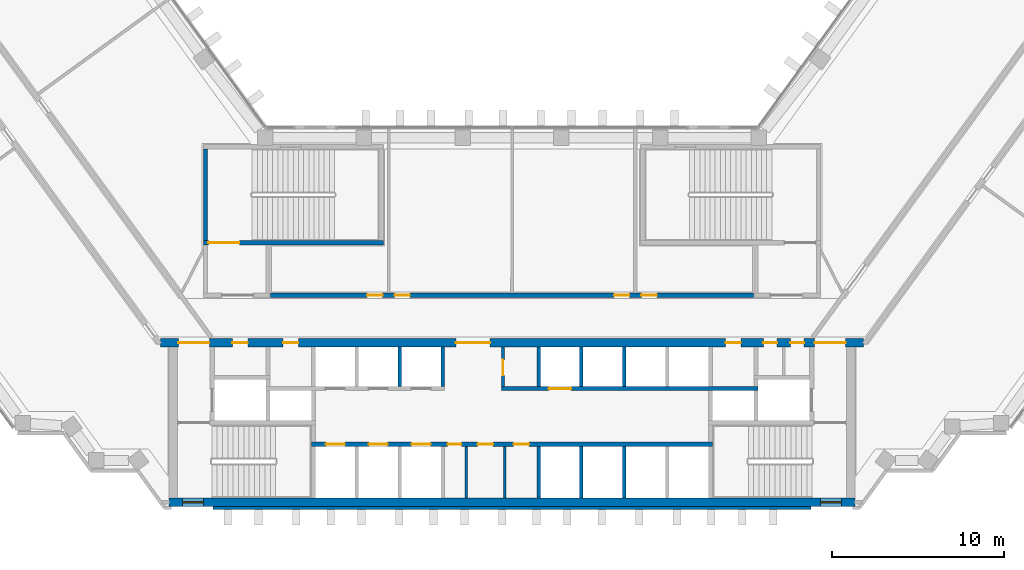
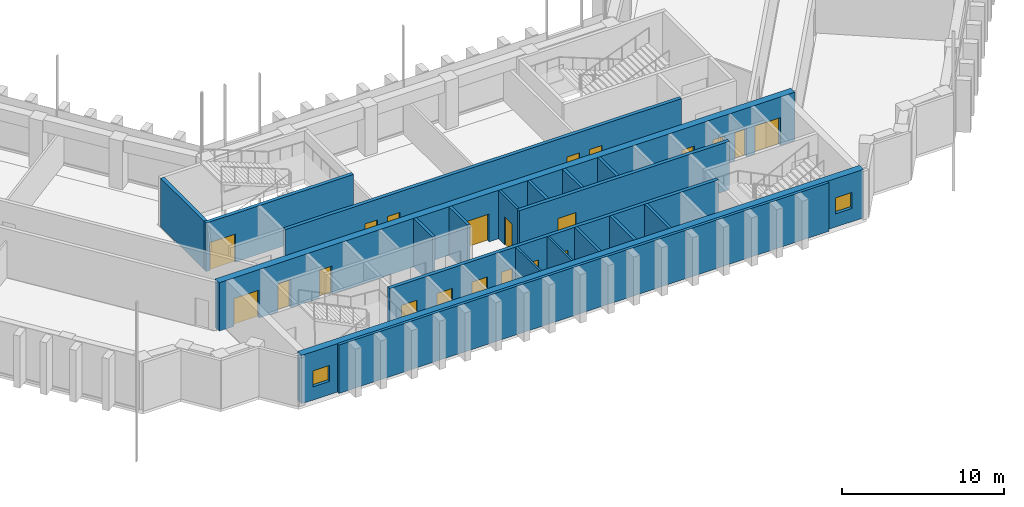
# One storey, part 11 of 18: 21 doors, 19 walls, 2 windows, 23 openings.
"""IFC4 building model written with IfcOpenShell, lengths in metres."""

from ifc_helpers import new_model, si_unit, direction, frame, frame_2d, origin, place, context, subcontext, project, spatial, rectangle, extrude, material, layer, layer_set, type_object, element, fill, save


model = new_model("IFC4")

# Units and contexts
model_context = context("Model", 3, precision=1e-05, world=origin(), true_north=direction((0.0, 1.0)))
body_context = subcontext(model_context, "Body", "Model", "MODEL_VIEW")
ifc_project = project(units=[si_unit("LENGTHUNIT", "METRE"), si_unit("AREAUNIT", "SQUARE_METRE"), si_unit("VOLUMEUNIT", "CUBIC_METRE"), si_unit("PLANEANGLEUNIT", "RADIAN"), si_unit("MASSUNIT", "GRAM", prefix="KILO")], contexts=[model_context])

# Site, building, storey
site_placement = place(None, origin())
site = spatial("IfcSite", under=ifc_project, at=site_placement, CompositionType="ELEMENT")
building_placement = place(site_placement, origin())
building = spatial("IfcBuilding", under=site, at=building_placement, Name="Quipu Civic Tower", CompositionType="ELEMENT")
storey_placement = place(building_placement, frame((0.0, 0.0, 71.0)))
storey = spatial("IfcBuildingStorey", under=building, at=storey_placement, Name="L16", CompositionType="ELEMENT", Elevation=71.0)

# Wall, openings, doors
ifc_material_1 = material(Name="Concrete C70/85", Category="concrete")
ifc_layer_1 = layer(ifc_material_1, 0.25)
ifc_layer_set_1 = layer_set([ifc_layer_1], Name="Concrete C70/85")
wall_type_1 = type_object("IfcWallType", Name="Core wall 250", PredefinedType="SHEAR", material=ifc_layer_set_1)
wall_1_placement = place(storey_placement, frame((11.699951171875, -7.375, 0.0), z_axis=(0.0, 0.0, 1.0), x_axis=(-1.0, 0.0, 0.0)))
wall_1 = element("IfcWall", 1, at=wall_1_placement, inside=storey, type_object=wall_type_1, Name="Core wall", PredefinedType="SHEAR", context=body_context, shape_type="SweptSolid", body=[
    extrude(rectangle(XDim=23.39990234375, YDim=0.25, at=frame_2d((11.699951171875, 0.0))), origin(), (0.0, 0.0, 1.0), 3.64990234375),
])
opening_1_placement = place(wall_1_placement, frame((21.449951171875, 0.0, 0.0)))
opening_1 = element("IfcOpeningElement", 2, at=opening_1_placement, cuts=wall_1, Name="Opening LD-LL1", PredefinedType="OPENING", context=body_context, shape_type="SweptSolid", body=[
    extrude(rectangle(XDim=1.10009765625, YDim=2.10009765625, at=frame_2d((0.550048828125, 1.050048828125))), frame((0.0, 0.135009765625, 0.0), z_axis=(0.0, -1.0, 0.0), x_axis=(1.0, 0.0, 0.0)), (0.0, 0.0, 1.0), 0.27001953125),
])
opening_2_placement = place(wall_1_placement, frame((18.949951171875, 0.0, 0.0)))
opening_2 = element("IfcOpeningElement", 3, at=opening_2_placement, cuts=wall_1, Name="Opening LD-LL2", PredefinedType="OPENING", context=body_context, shape_type="SweptSolid", body=[
    extrude(rectangle(XDim=1.10009765625, YDim=2.10009765625, at=frame_2d((0.550048828125, 1.050048828125))), frame((0.0, 0.135009765625, 0.0), z_axis=(0.0, -1.0, 0.0), x_axis=(1.0, 0.0, 0.0)), (0.0, 0.0, 1.0), 0.27001953125),
])
opening_3_placement = place(wall_1_placement, frame((16.449951171875, 0.0, 0.0)))
opening_3 = element("IfcOpeningElement", 4, at=opening_3_placement, cuts=wall_1, Name="Opening LD-LL3", PredefinedType="OPENING", context=body_context, shape_type="SweptSolid", body=[
    extrude(rectangle(XDim=1.10009765625, YDim=2.10009765625, at=frame_2d((0.550048828125, 1.050048828125))), frame((0.0, 0.135009765625, 0.0), z_axis=(0.0, -1.0, 0.0), x_axis=(1.0, 0.0, 0.0)), (0.0, 0.0, 1.0), 0.27001953125),
])
opening_4_placement = place(wall_1_placement, frame((14.64990234375, 0.0, 0.0)))
opening_4 = element("IfcOpeningElement", 5, at=opening_4_placement, cuts=wall_1, Name="Opening CD-01", PredefinedType="OPENING", context=body_context, shape_type="SweptSolid", body=[
    extrude(rectangle(XDim=0.800048828125, YDim=2.10009765625, at=frame_2d((0.39990234375, 1.050048828125))), frame((0.0, 0.135009765625, 0.0), z_axis=(0.0, -1.0, 0.0), x_axis=(1.0, 0.0, 0.0)), (0.0, 0.0, 1.0), 0.27001953125),
])
opening_5_placement = place(wall_1_placement, frame((12.800048828125, 0.0, 0.0)))
opening_5 = element("IfcOpeningElement", 6, at=opening_5_placement, cuts=wall_1, Name="Opening CD-02", PredefinedType="OPENING", context=body_context, shape_type="SweptSolid", body=[
    extrude(rectangle(XDim=0.89990234375, YDim=2.10009765625, at=frame_2d((0.449951171875, 1.050048828125))), frame((0.0, 0.135009765625, 0.0), z_axis=(0.0, -1.0, 0.0), x_axis=(1.0, 0.0, 0.0)), (0.0, 0.0, 1.0), 0.27001953125),
])
opening_6_placement = place(wall_1_placement, frame((10.699951171875, 0.0, 0.0)))
opening_6 = element("IfcOpeningElement", 7, at=opening_6_placement, cuts=wall_1, Name="Opening CD-03", PredefinedType="OPENING", context=body_context, shape_type="SweptSolid", body=[
    extrude(rectangle(XDim=0.89990234375, YDim=2.10009765625, at=frame_2d((0.449951171875, 1.050048828125))), frame((0.0, 0.135009765625, 0.0), z_axis=(0.0, -1.0, 0.0), x_axis=(1.0, 0.0, 0.0)), (0.0, 0.0, 1.0), 0.27001953125),
])
ifc_material_2 = material(Name="Fire rated steel door", Category="steel")
door_type_1 = type_object("IfcDoorType", Name="Fire door FD60 800 x 2100", OperationType="NOTDEFINED", PredefinedType="DOOR", material=ifc_material_2)
door_1_placement = place(opening_4_placement, origin())
door_1 = element("IfcDoor", 8, at=door_1_placement, inside=storey, type_object=door_type_1, Name="Door", OperationType="SINGLE_SWING_RIGHT", OverallHeight=2.10009765625, OverallWidth=0.800048828125, PredefinedType="DOOR", context=body_context, shape_type="SweptSolid", body=[
    extrude(rectangle(XDim=0.800048828125, YDim=2.10009765625, at=frame_2d((0.39990234375, 1.050048828125))), frame((0.0, 0.02490234375, 0.0), z_axis=(0.0, -1.0, 0.0), x_axis=(1.0, 0.0, 0.0)), (0.0, 0.0, 1.0), 0.050048828125),
])
fill(opening_4, door_1)
ifc_material_3 = material(Name="Fire rated steel door", Category="steel")
door_type_2 = type_object("IfcDoorType", Name="Fire door FD60 900 x 2100", OperationType="NOTDEFINED", PredefinedType="DOOR", material=ifc_material_3)
door_2_placement = place(opening_5_placement, origin())
door_2 = element("IfcDoor", 9, at=door_2_placement, inside=storey, type_object=door_type_2, Name="WC door", OperationType="SINGLE_SWING_RIGHT", OverallHeight=2.10009765625, OverallWidth=0.89990234375, PredefinedType="DOOR", context=body_context, shape_type="SweptSolid", body=[
    extrude(rectangle(XDim=0.89990234375, YDim=2.10009765625, at=frame_2d((0.449951171875, 1.050048828125))), frame((0.0, 0.02490234375, 0.0), z_axis=(0.0, -1.0, 0.0), x_axis=(1.0, 0.0, 0.0)), (0.0, 0.0, 1.0), 0.050048828125),
])
fill(opening_5, door_2)
door_3_placement = place(opening_6_placement, origin())
door_3 = element("IfcDoor", 10, at=door_3_placement, inside=storey, type_object=door_type_2, Name="WC door", OperationType="SINGLE_SWING_LEFT", OverallHeight=2.10009765625, OverallWidth=0.89990234375, PredefinedType="DOOR", context=body_context, shape_type="SweptSolid", body=[
    extrude(rectangle(XDim=0.89990234375, YDim=2.10009765625, at=frame_2d((0.449951171875, 1.050048828125))), frame((0.0, 0.02490234375, 0.0), z_axis=(0.0, -1.0, 0.0), x_axis=(1.0, 0.0, 0.0)), (0.0, 0.0, 1.0), 0.050048828125),
])
fill(opening_6, door_3)
ifc_material_4 = material(Name="Stainless steel", Category="steel")
door_type_3 = type_object("IfcDoorType", Name="Lift landing door 1100 x 2100", OperationType="DOUBLE_DOOR_SLIDING", PredefinedType="DOOR", material=ifc_material_4)
door_4_placement = place(opening_1_placement, origin())
door_4 = element("IfcDoor", 11, at=door_4_placement, inside=storey, type_object=door_type_3, Name="Landing door LL1", OperationType="DOUBLE_DOOR_SLIDING", OverallHeight=2.10009765625, OverallWidth=1.10009765625, PredefinedType="DOOR", context=body_context, shape_type="SweptSolid", body=[
    extrude(rectangle(XDim=1.10009765625, YDim=2.10009765625, at=frame_2d((0.550048828125, 1.050048828125))), frame((0.0, 0.02490234375, 0.0), z_axis=(0.0, -1.0, 0.0), x_axis=(1.0, 0.0, 0.0)), (0.0, 0.0, 1.0), 0.050048828125),
])
fill(opening_1, door_4)
door_5_placement = place(opening_2_placement, origin())
door_5 = element("IfcDoor", 12, at=door_5_placement, inside=storey, type_object=door_type_3, Name="Landing door LL2", OperationType="DOUBLE_DOOR_SLIDING", OverallHeight=2.10009765625, OverallWidth=1.10009765625, PredefinedType="DOOR", context=body_context, shape_type="SweptSolid", body=[
    extrude(rectangle(XDim=1.10009765625, YDim=2.10009765625, at=frame_2d((0.550048828125, 1.050048828125))), frame((0.0, 0.02490234375, 0.0), z_axis=(0.0, -1.0, 0.0), x_axis=(1.0, 0.0, 0.0)), (0.0, 0.0, 1.0), 0.050048828125),
])
fill(opening_2, door_5)
door_6_placement = place(opening_3_placement, origin())
door_6 = element("IfcDoor", 13, at=door_6_placement, inside=storey, type_object=door_type_3, Name="Landing door LL3", OperationType="DOUBLE_DOOR_SLIDING", OverallHeight=2.10009765625, OverallWidth=1.10009765625, PredefinedType="DOOR", context=body_context, shape_type="SweptSolid", body=[
    extrude(rectangle(XDim=1.10009765625, YDim=2.10009765625, at=frame_2d((0.550048828125, 1.050048828125))), frame((0.0, 0.02490234375, 0.0), z_axis=(0.0, -1.0, 0.0), x_axis=(1.0, 0.0, 0.0)), (0.0, 0.0, 1.0), 0.050048828125),
])
fill(opening_3, door_6)

# Wall, opening, door
wall_2_placement = place(storey_placement, frame((-0.60009765625, -4.125, 0.0), z_axis=(0.0, 0.0, 1.0), x_axis=(1.0, 0.0, 0.0)))
wall_2 = element("IfcWall", 14, at=wall_2_placement, inside=storey, type_object=wall_type_1, Name="Core wall", PredefinedType="SHEAR", context=body_context, shape_type="SweptSolid", body=[
    extrude(rectangle(XDim=14.9501953125, YDim=0.25, at=frame_2d((7.47509765625, 0.0))), origin(), (0.0, 0.0, 1.0), 3.64990234375),
])
opening_7_placement = place(wall_2_placement, frame((2.75, 0.0, 0.0)))
opening_7 = element("IfcOpeningElement", 15, at=opening_7_placement, cuts=wall_2, Name="Opening LD-FF3", PredefinedType="OPENING", context=body_context, shape_type="SweptSolid", body=[
    extrude(rectangle(XDim=1.300048828125, YDim=2.10009765625, at=frame_2d((0.64990234375, 1.050048828125))), frame((0.0, 0.135009765625, 0.0), z_axis=(0.0, -1.0, 0.0), x_axis=(1.0, 0.0, 0.0)), (0.0, 0.0, 1.0), 0.27001953125),
])
ifc_material_5 = material(Name="Stainless steel", Category="steel")
door_type_4 = type_object("IfcDoorType", Name="Lift landing door 1300 x 2100", OperationType="DOUBLE_DOOR_SLIDING", PredefinedType="DOOR", material=ifc_material_5)
door_7_placement = place(opening_7_placement, origin())
door_7 = element("IfcDoor", 16, at=door_7_placement, inside=storey, type_object=door_type_4, Name="Landing door FF3", OperationType="DOUBLE_DOOR_SLIDING", OverallHeight=2.10009765625, OverallWidth=1.300048828125, PredefinedType="DOOR", context=body_context, shape_type="SweptSolid", body=[
    extrude(rectangle(XDim=1.300048828125, YDim=2.10009765625, at=frame_2d((0.64990234375, 1.050048828125))), frame((0.0, 0.02490234375, 0.0), z_axis=(0.0, -1.0, 0.0), x_axis=(1.0, 0.0, 0.0)), (0.0, 0.0, 1.0), 0.050048828125),
])
fill(opening_7, door_7)

wall_3_placement = place(storey_placement, frame((-18.0, 4.375, 0.0), z_axis=(0.0, 0.0, 1.0), x_axis=(1.0, 0.0, 0.0)))
wall_3 = element("IfcWall", 17, at=wall_3_placement, inside=storey, type_object=wall_type_1, Name="Core wall", PredefinedType="SHEAR", context=body_context, shape_type="SweptSolid", body=[
    extrude(rectangle(XDim=10.5, YDim=0.25, at=frame_2d((5.25, 0.0))), origin(), (0.0, 0.0, 1.0), 3.64990234375),
])
opening_8_placement = place(wall_3_placement, frame((0.300048828125, 0.0, 0.0)))
opening_8 = element("IfcOpeningElement", 18, at=opening_8_placement, cuts=wall_3, Name="Opening CD-16", PredefinedType="OPENING", context=body_context, shape_type="SweptSolid", body=[
    extrude(rectangle(XDim=1.800048828125, YDim=2.10009765625, at=frame_2d((0.89990234375, 1.050048828125))), frame((0.0, 0.135009765625, 0.0), z_axis=(0.0, -1.0, 0.0), x_axis=(1.0, 0.0, 0.0)), (0.0, 0.0, 1.0), 0.27001953125),
])
ifc_material_6 = material(Name="Fire rated steel door", Category="steel")
door_type_5 = type_object("IfcDoorType", Name="Fire door FD90 double 1800 x 2100", OperationType="NOTDEFINED", PredefinedType="DOOR", material=ifc_material_6)
door_8_placement = place(opening_8_placement, origin())
door_8 = element("IfcDoor", 19, at=door_8_placement, inside=storey, type_object=door_type_5, Name="Door", OperationType="DOUBLE_DOOR_SINGLE_SWING", OverallHeight=2.10009765625, OverallWidth=1.800048828125, PredefinedType="DOOR", context=body_context, shape_type="SweptSolid", body=[
    extrude(rectangle(XDim=1.800048828125, YDim=2.10009765625, at=frame_2d((0.89990234375, 1.050048828125))), frame((0.0, 0.02490234375, 0.0), z_axis=(0.0, -1.0, 0.0), x_axis=(1.0, 0.0, 0.0)), (0.0, 0.0, 1.0), 0.050048828125),
])
fill(opening_8, door_8)

# Wall
wall_4_placement = place(storey_placement, frame((-17.875, 4.5, 0.0), z_axis=(0.0, 0.0, 1.0), x_axis=(0.0, 1.0, 0.0)))
element("IfcWall", 20, at=wall_4_placement, inside=storey, type_object=wall_type_1, Name="Core wall", PredefinedType="SHEAR", context=body_context, shape_type="SweptSolid", body=[
    extrude(rectangle(XDim=5.35009765625, YDim=0.25, at=frame_2d((2.675048828125, 0.0))), origin(), (0.0, 0.0, 1.0), 3.64990234375),
])

# Wall, openings, windows
ifc_material_7 = material(Name="Concrete C70/85", Category="concrete")
ifc_layer_2 = layer(ifc_material_7, 0.5)
ifc_layer_set_2 = layer_set([ifc_layer_2], Name="Concrete C70/85")
wall_type_2 = type_object("IfcWallType", Name="Core wall 500", PredefinedType="SHEAR", material=ifc_layer_set_2)
wall_5_placement = place(storey_placement, frame((-20.0, -10.75, 0.0), z_axis=(0.0, 0.0, 1.0), x_axis=(1.0, 0.0, 0.0)))
wall_5 = element("IfcWall", 21, at=wall_5_placement, inside=storey, type_object=wall_type_2, Name="Core wall", PredefinedType="SHEAR", context=body_context, shape_type="SweptSolid", body=[
    extrude(rectangle(XDim=40.0, YDim=0.5, at=frame_2d((20.0, 0.0))), origin(), (0.0, 0.0, 1.0), 3.64990234375),
])
opening_9_placement = place(wall_5_placement, frame((0.800048828125, 0.0, 1.0)))
opening_9 = element("IfcOpeningElement", 22, at=opening_9_placement, cuts=wall_5, Name="Opening SV-1", PredefinedType="OPENING", context=body_context, shape_type="SweptSolid", body=[
    extrude(rectangle(XDim=1.199951171875, YDim=1.199951171875, at=frame_2d((0.60009765625, 0.60009765625))), frame((0.0, 0.260009765625, 0.0), z_axis=(0.0, -1.0, 0.0), x_axis=(1.0, 0.0, 0.0)), (0.0, 0.0, 1.0), 0.52001953125),
])
opening_10_placement = place(wall_5_placement, frame((38.0, 0.0, 1.0)))
opening_10 = element("IfcOpeningElement", 23, at=opening_10_placement, cuts=wall_5, Name="Opening SV-2", PredefinedType="OPENING", context=body_context, shape_type="SweptSolid", body=[
    extrude(rectangle(XDim=1.199951171875, YDim=1.199951171875, at=frame_2d((0.60009765625, 0.60009765625))), frame((0.0, 0.260009765625, 0.0), z_axis=(0.0, -1.0, 0.0), x_axis=(1.0, 0.0, 0.0)), (0.0, 0.0, 1.0), 0.52001953125),
])
ifc_material_8 = material(Name="Aluminium louvre", Category="aluminium")
window_type = type_object("IfcWindowType", Name="Stair ventilation louvre 1200 x 1200", PartitioningType="SINGLE_PANEL", PredefinedType="WINDOW", material=ifc_material_8)
window_1_placement = place(opening_9_placement, origin())
window_1 = element("IfcWindow", 24, at=window_1_placement, inside=storey, type_object=window_type, Name="Stair ventilation opening", OverallHeight=1.199951171875, OverallWidth=1.199951171875, PartitioningType="SINGLE_PANEL", PredefinedType="WINDOW", context=body_context, shape_type="SweptSolid", body=[
    extrude(rectangle(XDim=1.199951171875, YDim=1.199951171875, at=frame_2d((0.60009765625, 0.60009765625))), frame((0.0, 0.030029296875, 0.0), z_axis=(0.0, -1.0, 0.0), x_axis=(1.0, 0.0, 0.0)), (0.0, 0.0, 1.0), 0.06005859375),
])
fill(opening_9, window_1)
window_2_placement = place(opening_10_placement, origin())
window_2 = element("IfcWindow", 25, at=window_2_placement, inside=storey, type_object=window_type, Name="Stair ventilation opening", OverallHeight=1.199951171875, OverallWidth=1.199951171875, PartitioningType="SINGLE_PANEL", PredefinedType="WINDOW", context=body_context, shape_type="SweptSolid", body=[
    extrude(rectangle(XDim=1.199951171875, YDim=1.199951171875, at=frame_2d((0.60009765625, 0.60009765625))), frame((0.0, 0.030029296875, 0.0), z_axis=(0.0, -1.0, 0.0), x_axis=(1.0, 0.0, 0.0)), (0.0, 0.0, 1.0), 0.06005859375),
])
fill(opening_10, window_2)

# Wall, openings, doors
wall_6_placement = place(storey_placement, frame((20.489990234375, -1.449951171875, 0.0), z_axis=(0.0, 0.0, 1.0), x_axis=(-1.0, 0.0, 0.0)))
wall_6 = element("IfcWall", 26, at=wall_6_placement, inside=storey, type_object=wall_type_2, Name="Core wall", PredefinedType="SHEAR", context=body_context, shape_type="SweptSolid", body=[
    extrude(rectangle(XDim=40.97998046875, YDim=0.5, at=frame_2d((20.489990234375, 0.0))), origin(), (0.0, 0.0, 1.0), 3.64990234375),
])
opening_11_placement = place(wall_6_placement, frame((38.139892578125, 0.0, 0.0)))
opening_11 = element("IfcOpeningElement", 27, at=opening_11_placement, cuts=wall_6, Name="Opening CD-07", PredefinedType="OPENING", context=body_context, shape_type="SweptSolid", body=[
    extrude(rectangle(XDim=1.800048828125, YDim=2.10009765625, at=frame_2d((0.89990234375, 1.050048828125))), frame((0.0, 0.260009765625, 0.0), z_axis=(0.0, -1.0, 0.0), x_axis=(1.0, 0.0, 0.0)), (0.0, 0.0, 1.0), 0.52001953125),
])
opening_12_placement = place(wall_6_placement, frame((35.889892578125, 0.0, 0.0)))
opening_12 = element("IfcOpeningElement", 28, at=opening_12_placement, cuts=wall_6, Name="Opening CD-08", PredefinedType="OPENING", context=body_context, shape_type="SweptSolid", body=[
    extrude(rectangle(XDim=0.89990234375, YDim=2.10009765625, at=frame_2d((0.449951171875, 1.050048828125))), frame((0.0, 0.260009765625, 0.0), z_axis=(0.0, -1.0, 0.0), x_axis=(1.0, 0.0, 0.0)), (0.0, 0.0, 1.0), 0.52001953125),
])
opening_13_placement = place(wall_6_placement, frame((32.93994140625, 0.0, 0.0)))
opening_13 = element("IfcOpeningElement", 29, at=opening_13_placement, cuts=wall_6, Name="Opening CD-09", PredefinedType="OPENING", context=body_context, shape_type="SweptSolid", body=[
    extrude(rectangle(XDim=0.89990234375, YDim=2.10009765625, at=frame_2d((0.449951171875, 1.050048828125))), frame((0.0, 0.260009765625, 0.0), z_axis=(0.0, -1.0, 0.0), x_axis=(1.0, 0.0, 0.0)), (0.0, 0.0, 1.0), 0.52001953125),
])
opening_14_placement = place(wall_6_placement, frame((21.764892578125, 0.0, 0.0)))
opening_14 = element("IfcOpeningElement", 30, at=opening_14_placement, cuts=wall_6, Name="Opening CD-10", PredefinedType="OPENING", context=body_context, shape_type="SweptSolid", body=[
    extrude(rectangle(XDim=2.0, YDim=2.10009765625, at=frame_2d((1.0, 1.050048828125))), frame((0.0, 0.260009765625, 0.0), z_axis=(0.0, -1.0, 0.0), x_axis=(1.0, 0.0, 0.0)), (0.0, 0.0, 1.0), 0.52001953125),
])
opening_15_placement = place(wall_6_placement, frame((7.139892578125, 0.0, 0.0)))
opening_15 = element("IfcOpeningElement", 31, at=opening_15_placement, cuts=wall_6, Name="Opening CD-11", PredefinedType="OPENING", context=body_context, shape_type="SweptSolid", body=[
    extrude(rectangle(XDim=0.89990234375, YDim=2.10009765625, at=frame_2d((0.449951171875, 1.050048828125))), frame((0.0, 0.260009765625, 0.0), z_axis=(0.0, -1.0, 0.0), x_axis=(1.0, 0.0, 0.0)), (0.0, 0.0, 1.0), 0.52001953125),
])
opening_16_placement = place(wall_6_placement, frame((5.027587890625, 0.0, 0.0)))
opening_16 = element("IfcOpeningElement", 32, at=opening_16_placement, cuts=wall_6, Name="Opening CD-12", PredefinedType="OPENING", context=body_context, shape_type="SweptSolid", body=[
    extrude(rectangle(XDim=0.800048828125, YDim=2.10009765625, at=frame_2d((0.39990234375, 1.050048828125))), frame((0.0, 0.260009765625, 0.0), z_axis=(0.0, -1.0, 0.0), x_axis=(1.0, 0.0, 0.0)), (0.0, 0.0, 1.0), 0.52001953125),
])
opening_17_placement = place(wall_6_placement, frame((3.452392578125, 0.0, 0.0)))
opening_17 = element("IfcOpeningElement", 33, at=opening_17_placement, cuts=wall_6, Name="Opening CD-13", PredefinedType="OPENING", context=body_context, shape_type="SweptSolid", body=[
    extrude(rectangle(XDim=0.800048828125, YDim=2.10009765625, at=frame_2d((0.39990234375, 1.050048828125))), frame((0.0, 0.260009765625, 0.0), z_axis=(0.0, -1.0, 0.0), x_axis=(1.0, 0.0, 0.0)), (0.0, 0.0, 1.0), 0.52001953125),
])
opening_18_placement = place(wall_6_placement, frame((1.0400390625, 0.0, 0.0)))
opening_18 = element("IfcOpeningElement", 34, at=opening_18_placement, cuts=wall_6, Name="Opening CD-14", PredefinedType="OPENING", context=body_context, shape_type="SweptSolid", body=[
    extrude(rectangle(XDim=1.800048828125, YDim=2.10009765625, at=frame_2d((0.89990234375, 1.050048828125))), frame((0.0, 0.260009765625, 0.0), z_axis=(0.0, -1.0, 0.0), x_axis=(1.0, 0.0, 0.0)), (0.0, 0.0, 1.0), 0.52001953125),
])
door_9_placement = place(opening_16_placement, origin())
door_9 = element("IfcDoor", 35, at=door_9_placement, inside=storey, type_object=door_type_1, Name="Door", OperationType="SINGLE_SWING_LEFT", OverallHeight=2.10009765625, OverallWidth=0.800048828125, PredefinedType="DOOR", context=body_context, shape_type="SweptSolid", body=[
    extrude(rectangle(XDim=0.800048828125, YDim=2.10009765625, at=frame_2d((0.39990234375, 1.050048828125))), frame((0.0, 0.02490234375, 0.0), z_axis=(0.0, -1.0, 0.0), x_axis=(1.0, 0.0, 0.0)), (0.0, 0.0, 1.0), 0.050048828125),
])
fill(opening_16, door_9)
door_10_placement = place(opening_17_placement, origin())
door_10 = element("IfcDoor", 36, at=door_10_placement, inside=storey, type_object=door_type_1, Name="Door", OperationType="SINGLE_SWING_LEFT", OverallHeight=2.10009765625, OverallWidth=0.800048828125, PredefinedType="DOOR", context=body_context, shape_type="SweptSolid", body=[
    extrude(rectangle(XDim=0.800048828125, YDim=2.10009765625, at=frame_2d((0.39990234375, 1.050048828125))), frame((0.0, 0.02490234375, 0.0), z_axis=(0.0, -1.0, 0.0), x_axis=(1.0, 0.0, 0.0)), (0.0, 0.0, 1.0), 0.050048828125),
])
fill(opening_17, door_10)
door_11_placement = place(opening_12_placement, origin())
door_11 = element("IfcDoor", 37, at=door_11_placement, inside=storey, type_object=door_type_2, Name="Door", OperationType="SINGLE_SWING_RIGHT", OverallHeight=2.10009765625, OverallWidth=0.89990234375, PredefinedType="DOOR", context=body_context, shape_type="SweptSolid", body=[
    extrude(rectangle(XDim=0.89990234375, YDim=2.10009765625, at=frame_2d((0.449951171875, 1.050048828125))), frame((0.0, 0.02490234375, 0.0), z_axis=(0.0, -1.0, 0.0), x_axis=(1.0, 0.0, 0.0)), (0.0, 0.0, 1.0), 0.050048828125),
])
fill(opening_12, door_11)
door_12_placement = place(opening_13_placement, origin())
door_12 = element("IfcDoor", 38, at=door_12_placement, inside=storey, type_object=door_type_2, Name="Riser door", OperationType="SINGLE_SWING_RIGHT", OverallHeight=2.10009765625, OverallWidth=0.89990234375, PredefinedType="DOOR", context=body_context, shape_type="SweptSolid", body=[
    extrude(rectangle(XDim=0.89990234375, YDim=2.10009765625, at=frame_2d((0.449951171875, 1.050048828125))), frame((0.0, 0.02490234375, 0.0), z_axis=(0.0, -1.0, 0.0), x_axis=(1.0, 0.0, 0.0)), (0.0, 0.0, 1.0), 0.050048828125),
])
fill(opening_13, door_12)
door_13_placement = place(opening_15_placement, origin())
door_13 = element("IfcDoor", 39, at=door_13_placement, inside=storey, type_object=door_type_2, Name="Riser door", OperationType="SINGLE_SWING_LEFT", OverallHeight=2.10009765625, OverallWidth=0.89990234375, PredefinedType="DOOR", context=body_context, shape_type="SweptSolid", body=[
    extrude(rectangle(XDim=0.89990234375, YDim=2.10009765625, at=frame_2d((0.449951171875, 1.050048828125))), frame((0.0, 0.02490234375, 0.0), z_axis=(0.0, -1.0, 0.0), x_axis=(1.0, 0.0, 0.0)), (0.0, 0.0, 1.0), 0.050048828125),
])
fill(opening_15, door_13)
door_14_placement = place(opening_11_placement, origin())
door_14 = element("IfcDoor", 40, at=door_14_placement, inside=storey, type_object=door_type_5, Name="Lobby door", OperationType="DOUBLE_DOOR_SINGLE_SWING", OverallHeight=2.10009765625, OverallWidth=1.800048828125, PredefinedType="DOOR", context=body_context, shape_type="SweptSolid", body=[
    extrude(rectangle(XDim=1.800048828125, YDim=2.10009765625, at=frame_2d((0.89990234375, 1.050048828125))), frame((0.0, 0.02490234375, 0.0), z_axis=(0.0, -1.0, 0.0), x_axis=(1.0, 0.0, 0.0)), (0.0, 0.0, 1.0), 0.050048828125),
])
fill(opening_11, door_14)
door_15_placement = place(opening_18_placement, origin())
door_15 = element("IfcDoor", 41, at=door_15_placement, inside=storey, type_object=door_type_5, Name="Lobby door", OperationType="DOUBLE_DOOR_SINGLE_SWING", OverallHeight=2.10009765625, OverallWidth=1.800048828125, PredefinedType="DOOR", context=body_context, shape_type="SweptSolid", body=[
    extrude(rectangle(XDim=1.800048828125, YDim=2.10009765625, at=frame_2d((0.89990234375, 1.050048828125))), frame((0.0, 0.02490234375, 0.0), z_axis=(0.0, -1.0, 0.0), x_axis=(1.0, 0.0, 0.0)), (0.0, 0.0, 1.0), 0.050048828125),
])
fill(opening_18, door_15)
ifc_material_9 = material(Name="Fire rated steel door", Category="steel")
door_type_6 = type_object("IfcDoorType", Name="Fire door FD90 double 2000 x 2100", OperationType="NOTDEFINED", PredefinedType="DOOR", material=ifc_material_9)
door_16_placement = place(opening_14_placement, origin())
door_16 = element("IfcDoor", 42, at=door_16_placement, inside=storey, type_object=door_type_6, Name="Lobby door", OperationType="DOUBLE_DOOR_SINGLE_SWING", OverallHeight=2.10009765625, OverallWidth=2.0, PredefinedType="DOOR", context=body_context, shape_type="SweptSolid", body=[
    extrude(rectangle(XDim=2.0, YDim=2.10009765625, at=frame_2d((1.0, 1.050048828125))), frame((0.0, 0.02490234375, 0.0), z_axis=(0.0, -1.0, 0.0), x_axis=(1.0, 0.0, 0.0)), (0.0, 0.0, 1.0), 0.050048828125),
])
fill(opening_14, door_16)

ifc_material_10 = material(Name="Concrete C50/60", Category="concrete")
ifc_layer_3 = layer(ifc_material_10, 0.25)
ifc_layer_set_3 = layer_set([ifc_layer_3], Name="Concrete C50/60")
wall_type_3 = type_object("IfcWallType", Name="Corridor wall 250 concrete", PredefinedType="SOLIDWALL", material=ifc_layer_set_3)
wall_7_placement = place(storey_placement, frame((-14.090087890625, 1.324951171875, 0.0), z_axis=(0.0, 0.0, 1.0), x_axis=(1.0, 0.0, 0.0)))
wall_7 = element("IfcWall", 43, at=wall_7_placement, inside=storey, type_object=wall_type_3, Name="Corridor wall C05", PredefinedType="SOLIDWALL", context=body_context, shape_type="SweptSolid", body=[
    extrude(rectangle(XDim=28.18017578125, YDim=0.25, at=frame_2d((14.090087890625, 0.0))), origin(), (0.0, 0.0, 1.0), 3.64990234375),
])
opening_19_placement = place(wall_7_placement, frame((20.0380859375, 0.0, 0.0)))
opening_19 = element("IfcOpeningElement", 44, at=opening_19_placement, cuts=wall_7, Name="Opening D013", PredefinedType="OPENING", context=body_context, shape_type="SweptSolid", body=[
    extrude(rectangle(XDim=0.89990234375, YDim=2.10009765625, at=frame_2d((0.449951171875, 1.050048828125))), frame((0.0, 0.135009765625, 0.0), z_axis=(0.0, -1.0, 0.0), x_axis=(1.0, 0.0, 0.0)), (0.0, 0.0, 1.0), 0.27001953125),
])
opening_20_placement = place(wall_7_placement, frame((7.241943359375, 0.0, 0.0)))
opening_20 = element("IfcOpeningElement", 45, at=opening_20_placement, cuts=wall_7, Name="Opening D012", PredefinedType="OPENING", context=body_context, shape_type="SweptSolid", body=[
    extrude(rectangle(XDim=0.89990234375, YDim=2.10009765625, at=frame_2d((0.449951171875, 1.050048828125))), frame((0.0, 0.135009765625, 0.0), z_axis=(0.0, -1.0, 0.0), x_axis=(1.0, 0.0, 0.0)), (0.0, 0.0, 1.0), 0.27001953125),
])
opening_21_placement = place(wall_7_placement, frame((21.637939453125, 0.0, 0.0)))
opening_21 = element("IfcOpeningElement", 46, at=opening_21_placement, cuts=wall_7, Name="Opening D014", PredefinedType="OPENING", context=body_context, shape_type="SweptSolid", body=[
    extrude(rectangle(XDim=0.89990234375, YDim=2.10009765625, at=frame_2d((0.449951171875, 1.050048828125))), frame((0.0, 0.135009765625, 0.0), z_axis=(0.0, -1.0, 0.0), x_axis=(1.0, 0.0, 0.0)), (0.0, 0.0, 1.0), 0.27001953125),
])
opening_22_placement = place(wall_7_placement, frame((5.64208984375, 0.0, 0.0)))
opening_22 = element("IfcOpeningElement", 47, at=opening_22_placement, cuts=wall_7, Name="Opening D011", PredefinedType="OPENING", context=body_context, shape_type="SweptSolid", body=[
    extrude(rectangle(XDim=0.89990234375, YDim=2.10009765625, at=frame_2d((0.449951171875, 1.050048828125))), frame((0.0, 0.135009765625, 0.0), z_axis=(0.0, -1.0, 0.0), x_axis=(1.0, 0.0, 0.0)), (0.0, 0.0, 1.0), 0.27001953125),
])
ifc_material_11 = material(Name="Fire rated timber door set with metal frame", Category="wood")
door_type_7 = type_object("IfcDoorType", Name="Single door 900 x 2100 FD60", OperationType="NOTDEFINED", PredefinedType="DOOR", material=ifc_material_11)
door_17_placement = place(opening_19_placement, origin())
door_17 = element("IfcDoor", 48, at=door_17_placement, inside=storey, type_object=door_type_7, Name="Door D013", OperationType="SINGLE_SWING_RIGHT", OverallHeight=2.10009765625, OverallWidth=0.89990234375, PredefinedType="DOOR", context=body_context, shape_type="SweptSolid", body=[
    extrude(rectangle(XDim=0.89990234375, YDim=2.10009765625, at=frame_2d((0.449951171875, 1.050048828125))), frame((0.0, 0.02490234375, 0.0), z_axis=(0.0, -1.0, 0.0), x_axis=(1.0, 0.0, 0.0)), (0.0, 0.0, 1.0), 0.050048828125),
])
fill(opening_19, door_17)
door_18_placement = place(opening_20_placement, origin())
door_18 = element("IfcDoor", 49, at=door_18_placement, inside=storey, type_object=door_type_7, Name="Door D012", OperationType="SINGLE_SWING_LEFT", OverallHeight=2.10009765625, OverallWidth=0.89990234375, PredefinedType="DOOR", context=body_context, shape_type="SweptSolid", body=[
    extrude(rectangle(XDim=0.89990234375, YDim=2.10009765625, at=frame_2d((0.449951171875, 1.050048828125))), frame((0.0, 0.02490234375, 0.0), z_axis=(0.0, -1.0, 0.0), x_axis=(1.0, 0.0, 0.0)), (0.0, 0.0, 1.0), 0.050048828125),
])
fill(opening_20, door_18)
door_19_placement = place(opening_21_placement, origin())
door_19 = element("IfcDoor", 50, at=door_19_placement, inside=storey, type_object=door_type_7, Name="Door D014", OperationType="SINGLE_SWING_LEFT", OverallHeight=2.10009765625, OverallWidth=0.89990234375, PredefinedType="DOOR", context=body_context, shape_type="SweptSolid", body=[
    extrude(rectangle(XDim=0.89990234375, YDim=2.10009765625, at=frame_2d((0.449951171875, 1.050048828125))), frame((0.0, 0.02490234375, 0.0), z_axis=(0.0, -1.0, 0.0), x_axis=(1.0, 0.0, 0.0)), (0.0, 0.0, 1.0), 0.050048828125),
])
fill(opening_21, door_19)
door_20_placement = place(opening_22_placement, origin())
door_20 = element("IfcDoor", 51, at=door_20_placement, inside=storey, type_object=door_type_7, Name="Door D011", OperationType="SINGLE_SWING_RIGHT", OverallHeight=2.10009765625, OverallWidth=0.89990234375, PredefinedType="DOOR", context=body_context, shape_type="SweptSolid", body=[
    extrude(rectangle(XDim=0.89990234375, YDim=2.10009765625, at=frame_2d((0.449951171875, 1.050048828125))), frame((0.0, 0.02490234375, 0.0), z_axis=(0.0, -1.0, 0.0), x_axis=(1.0, 0.0, 0.0)), (0.0, 0.0, 1.0), 0.050048828125),
])
fill(opening_22, door_20)

# Walls
ifc_material_12 = material(Name="Gypsum board partition")
ifc_layer_4 = layer(ifc_material_12, 0.14990234375)
ifc_layer_set_4 = layer_set([ifc_layer_4], Name="Gypsum board partition")
wall_type_4 = type_object("IfcWallType", Name="Partition 150", PredefinedType="PARTITIONING", material=ifc_layer_set_4)
for number, where, z_axis, x_axis, name in (
    (52, (-2.675048828125, -10.5, 0.0), (0.0, 0.0, 1.0), (0.0, 1.0, 0.0), "Partition"),
    (53, (-0.425048828125, -10.5, 0.0), (0.0, 0.0, 1.0), (0.0, 1.0, 0.0), "Partition"),
):
    element("IfcWall", number, at=place(storey_placement, frame(where, z_axis=z_axis, x_axis=x_axis)), inside=storey, type_object=wall_type_4, Name=name, PredefinedType="PARTITIONING", context=body_context, shape_type="SweptSolid", body=[
        extrude(rectangle(XDim=3.0, YDim=0.14990234375, at=frame_2d((1.5, 0.0))), origin(), (0.0, 0.0, 1.0), 3.64990234375),
    ])

# Wall, opening, door
wall_8_placement = place(storey_placement, frame((-0.52490234375, -4.0, 0.0), z_axis=(0.0, 0.0, 1.0), x_axis=(0.0, 1.0, 0.0)))
wall_8 = element("IfcWall", 54, at=wall_8_placement, inside=storey, type_object=wall_type_4, Name="Partition", PredefinedType="PARTITIONING", context=body_context, shape_type="SweptSolid", body=[
    extrude(rectangle(XDim=2.300048828125, YDim=0.14990234375, at=frame_2d((1.14990234375, 0.0))), origin(), (0.0, 0.0, 1.0), 3.64990234375),
])
opening_23_placement = place(wall_8_placement, frame((0.64990234375, 0.0, 0.0)))
opening_23 = element("IfcOpeningElement", 55, at=opening_23_placement, cuts=wall_8, Name="Opening CD-06", PredefinedType="OPENING", context=body_context, shape_type="SweptSolid", body=[
    extrude(rectangle(XDim=0.89990234375, YDim=2.10009765625, at=frame_2d((0.449951171875, 1.050048828125))), frame((0.0, 0.0849609375, 0.0), z_axis=(0.0, -1.0, 0.0), x_axis=(1.0, 0.0, 0.0)), (0.0, 0.0, 1.0), 0.169921875),
])
door_21_placement = place(opening_23_placement, origin())
door_21 = element("IfcDoor", 56, at=door_21_placement, inside=storey, type_object=door_type_2, Name="WC door", OperationType="SINGLE_SWING_LEFT", OverallHeight=2.10009765625, OverallWidth=0.89990234375, PredefinedType="DOOR", context=body_context, shape_type="SweptSolid", body=[
    extrude(rectangle(XDim=0.89990234375, YDim=2.10009765625, at=frame_2d((0.449951171875, 1.050048828125))), frame((0.0, 0.02490234375, 0.0), z_axis=(0.0, -1.0, 0.0), x_axis=(1.0, 0.0, 0.0)), (0.0, 0.0, 1.0), 0.050048828125),
])
fill(opening_23, door_21)

# Walls
ifc_material_13 = material(Name="Precast concrete C40/50", Category="concrete")
wall_type_5 = type_object("IfcWallType", Name="Precast cladding wall", PredefinedType="SOLIDWALL", material=ifc_material_13)
wall_9_placement = place(storey_placement, frame((-17.44384765625, -11.087890625, 0.0), z_axis=(0.0, 0.0, 1.0), x_axis=(1.0, 0.0, 0.0)))
element("IfcWall", 57, at=wall_9_placement, inside=storey, type_object=wall_type_5, Name="Precast cladding wall L16 P17", PredefinedType="SOLIDWALL", context=body_context, shape_type="SweptSolid", body=[
    extrude(rectangle(XDim=34.8876953125, YDim=0.199951171875, at=frame_2d((17.44384765625, 0.0))), origin(), (0.0, 0.0, 1.0), 3.64990234375),
])
ifc_material_14 = material(Name="Concrete C40/50", Category="concrete")
ifc_layer_5 = layer(ifc_material_14, 0.199951171875)
ifc_layer_set_5 = layer_set([ifc_layer_5], Name="Concrete C40/50")
wall_type_6 = type_object("IfcWallType", Name="Shaft wall 200", PredefinedType="SOLIDWALL", material=ifc_layer_set_5)
for number, where, z_axis, x_axis, name in (
    (58, (1.550048828125, -10.5, 0.0), (0.0, 0.0, 1.0), (0.0, 1.0, 0.0), "Shaft wall"),
    (59, (4.050048828125, -10.5, 0.0), (0.0, 0.0, 1.0), (0.0, 1.0, 0.0), "Shaft wall"),
    (60, (6.550048828125, -10.5, 0.0), (0.0, 0.0, 1.0), (0.0, 1.0, 0.0), "Shaft wall"),
):
    element("IfcWall", number, at=place(storey_placement, frame(where, z_axis=z_axis, x_axis=x_axis)), inside=storey, type_object=wall_type_6, Name=name, PredefinedType="SOLIDWALL", context=body_context, shape_type="SweptSolid", body=[
        extrude(rectangle(XDim=3.0, YDim=0.199951171875, at=frame_2d((1.5, 0.0))), origin(), (0.0, 0.0, 1.0), 3.64990234375),
    ])
for number, where, z_axis, x_axis, name in (
    (61, (-6.550048828125, -4.0, 0.0), (0.0, 0.0, 1.0), (0.0, 1.0, 0.0), "Shaft wall"),
    (62, (-4.050048828125, -4.0, 0.0), (0.0, 0.0, 1.0), (0.0, 1.0, 0.0), "Shaft wall"),
    (63, (1.550048828125, -4.0, 0.0), (0.0, 0.0, 1.0), (0.0, 1.0, 0.0), "Shaft wall"),
    (64, (4.050048828125, -4.0, 0.0), (0.0, 0.0, 1.0), (0.0, 1.0, 0.0), "Shaft wall"),
    (65, (6.550048828125, -4.0, 0.0), (0.0, 0.0, 1.0), (0.0, 1.0, 0.0), "Shaft wall"),
):
    element("IfcWall", number, at=place(storey_placement, frame(where, z_axis=z_axis, x_axis=x_axis)), inside=storey, type_object=wall_type_6, Name=name, PredefinedType="SOLIDWALL", context=body_context, shape_type="SweptSolid", body=[
        extrude(rectangle(XDim=2.300048828125, YDim=0.199951171875, at=frame_2d((1.14990234375, 0.0))), origin(), (0.0, 0.0, 1.0), 3.64990234375),
    ])

save(model, "model.ifc")
